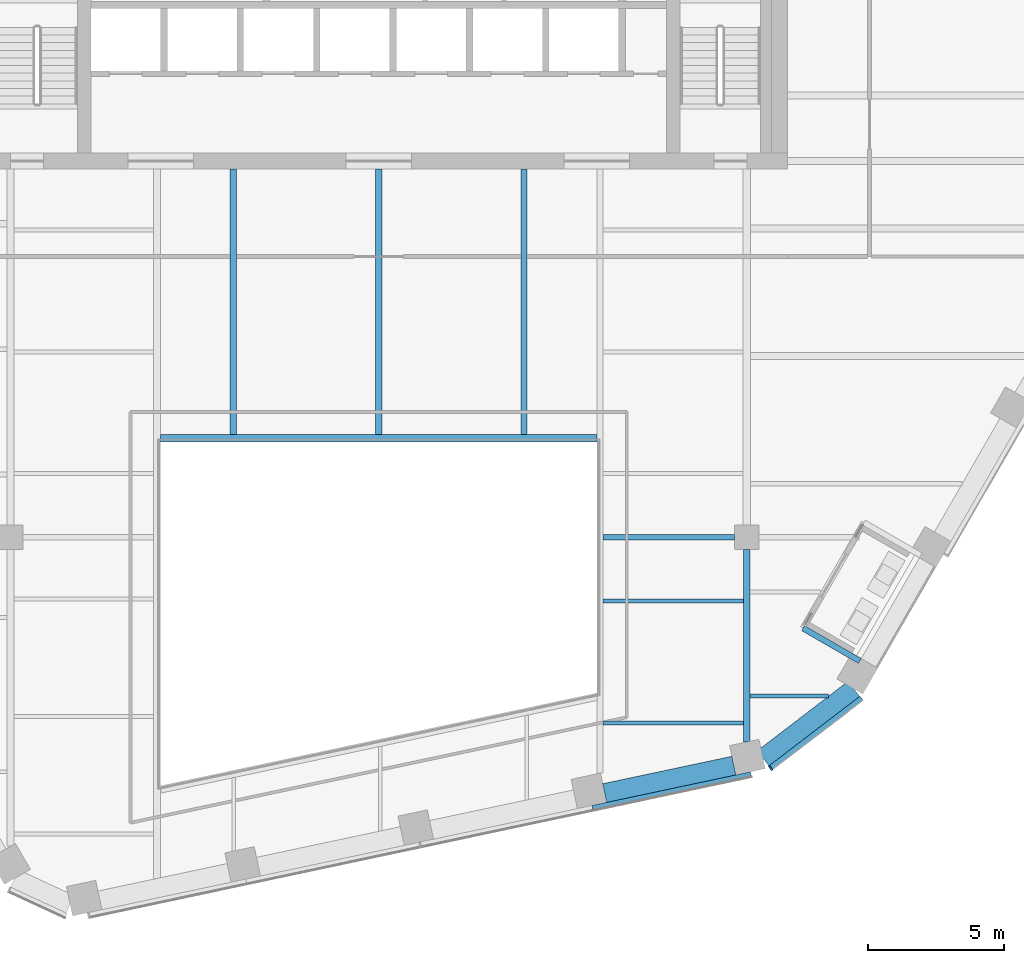
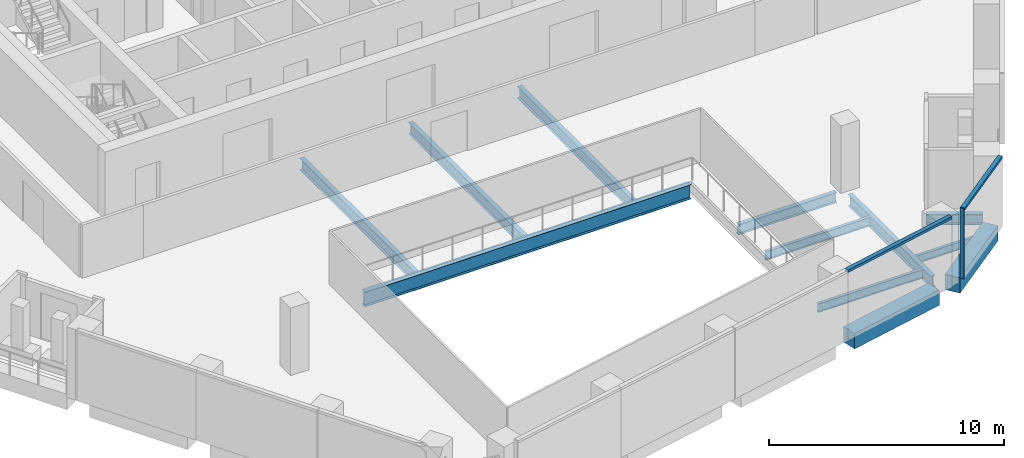
# One storey, part 4 of 24: 12 beams, 3 members, 2 elements without a shape of their own.
"""IFC4 building model written with IfcOpenShell, lengths in metres."""

from ifc_helpers import new_model, si_unit, direction, frame, origin, origin_2d, place, context, subcontext, project, spatial, rectangle, i_section, extrude, material, layer, layer_set, material_profile, profile_set, type_object, element, aggregate, save


model = new_model("IFC4")

# Units and contexts
model_context = context("Model", 3, precision=1e-05, world=origin(), true_north=direction((0.0, 1.0)))
body_context = subcontext(model_context, "Body", "Model", "MODEL_VIEW")
ifc_project = project(units=[si_unit("LENGTHUNIT", "METRE"), si_unit("AREAUNIT", "SQUARE_METRE"), si_unit("VOLUMEUNIT", "CUBIC_METRE"), si_unit("PLANEANGLEUNIT", "RADIAN"), si_unit("MASSUNIT", "GRAM", prefix="KILO")], contexts=[model_context])

# Site, building, storey
site_placement = place(None, origin())
site = spatial("IfcSite", under=ifc_project, at=site_placement, CompositionType="ELEMENT")
building_placement = place(site_placement, origin())
building = spatial("IfcBuilding", under=site, at=building_placement, Name="Isthmus Gate Tower", CompositionType="ELEMENT")
storey_placement = place(building_placement, frame((0.0, 0.0, 219.949951171875)))
storey = spatial("IfcBuildingStorey", under=building, at=storey_placement, Name="L55", CompositionType="ELEMENT", Elevation=219.949951171875)

# Curtain wall, member
ifc_material_1 = material(Name="Aluminium, pale champagne anodised", Category="aluminium")
ifc_layer = layer(ifc_material_1, 0.199951171875)
ifc_layer_set = layer_set([ifc_layer], Name="CW-1 UNITISED CURTAIN WALL 200 DEEP")
curtain_wall_type = type_object("IfcCurtainWallType", Name="CW-1 UNITISED CURTAIN WALL 200 DEEP", PredefinedType="NOTDEFINED", material=ifc_layer_set)
curtain_wall_1_placement = place(storey_placement, origin())
curtain_wall_1 = element("IfcCurtainWall", 1, at=curtain_wall_1_placement, inside=storey, type_object=curtain_wall_type, Name="CW-1 S-SE L55", PredefinedType="NOTDEFINED")
ifc_material_2 = material(Name="Aluminium, pale champagne anodised", Category="aluminium")
ifc_material_profile_1 = material_profile(ifc_material_2, rectangle(XDim=0.06005859375, YDim=0.199951171875, at=origin_2d()), Name="60x200")
ifc_profile_set_1 = profile_set([ifc_material_profile_1], Name="Aluminium, pale champagne anodised")
member_type_1 = type_object("IfcMemberType", Name="CW-1 MULLION 60 X 200", PredefinedType="MULLION", material=ifc_profile_set_1)
member_1_placement = place(storey_placement, frame((14.3720703125, -21.961669921875, 0.0), z_axis=(0.0, 0.0, 1.0), x_axis=(0.794188594387, 0.607671355706, 0.0)))
member_1 = element("IfcMember", 2, at=member_1_placement, type_object=member_type_1, Name="CW-1 mullion", PredefinedType="MULLION", context=body_context, shape_type="SweptSolid", body=[
    extrude(rectangle(XDim=0.06005859375, YDim=0.199951171875, at=origin_2d()), origin(), (0.0, 0.0, 1.0), 3.650146484375),
])

curtain_wall_2_placement = place(storey_placement, origin())
curtain_wall_2 = element("IfcCurtainWall", 3, at=curtain_wall_2_placement, inside=storey, type_object=curtain_wall_type, Name="CW-1 S L55", PredefinedType="NOTDEFINED")
ifc_material_3 = material(Name="Aluminium, pale champagne anodised", Category="aluminium")
ifc_material_profile_2 = material_profile(ifc_material_3, rectangle(XDim=0.199951171875, YDim=0.1298828125, at=origin_2d()), Name="200x130")
ifc_profile_set_2 = profile_set([ifc_material_profile_2], Name="Aluminium, pale champagne anodised")
member_type_2 = type_object("IfcMemberType", Name="CW-1 TRANSOM 200 X 130", PredefinedType="USERDEFINED", material=ifc_profile_set_2)
member_2_placement = place(storey_placement, frame((7.844970703125, -23.434814453125, 3.5849609375), z_axis=(0.978148616043, 0.207906914105, 0.0), x_axis=(-0.207906914105, 0.978148616043, 0.0)))
member_2 = element("IfcMember", 4, at=member_2_placement, type_object=member_type_2, Name="CW-1 transom", ObjectType="TRANSOM", PredefinedType="USERDEFINED", context=body_context, shape_type="SweptSolid", body=[
    extrude(rectangle(XDim=0.199951171875, YDim=0.1298828125, at=origin_2d()), origin(), (0.0, 0.0, 1.0), 5.94189453125),
])
aggregate(curtain_wall_2, [member_2])

# Member
member_3_placement = place(storey_placement, frame((14.39599609375, -21.943603515625, 3.5849609375), z_axis=(0.794175498212, 0.607688471209, 0.0), x_axis=(-0.607688471209, 0.794175498212, 0.0)))
member_3 = element("IfcMember", 5, at=member_3_placement, type_object=member_type_2, Name="CW-1 transom", ObjectType="TRANSOM", PredefinedType="USERDEFINED", context=body_context, shape_type="SweptSolid", body=[
    extrude(rectangle(XDim=0.199951171875, YDim=0.1298828125, at=origin_2d()), origin(), (0.0, 0.0, 1.0), 4.181396484375),
])

aggregate(curtain_wall_1, [member_1, member_3])

# Beams
ifc_material_4 = material(Name="Concrete f'c 50 MPa", Category="concrete")
ifc_material_profile_3 = material_profile(ifc_material_4, rectangle(XDim=0.699951171875, YDim=0.800048828125, at=origin_2d()), Name="RC 700X800")
ifc_profile_set_3 = profile_set([ifc_material_profile_3], Name="Concrete f'c 50 MPa")
beam_type_1 = type_object("IfcBeamType", Name="RC SPANDREL 700 X 800", PredefinedType="SPANDREL", material=ifc_profile_set_3)
beam_1_placement = place(storey_placement, frame((17.4267578125, -19.057861328125, -0.39990234375), z_axis=(-0.794182771845, -0.60767896533, 0.0), x_axis=(0.60767896533, -0.794182771845, 0.0)))
element("IfcBeam", 6, at=beam_1_placement, inside=storey, type_object=beam_type_1, Name="str-spandrel-L55-10", PredefinedType="SPANDREL", context=body_context, shape_type="SweptSolid", body=[
    extrude(rectangle(XDim=0.699951171875, YDim=0.800048828125, at=origin_2d()), origin(), (0.0, 0.0, 1.0), 4.19677734375),
])
beam_2_placement = place(storey_placement, frame((13.025390625, -21.87353515625, -0.39990234375), z_axis=(-0.978151545833, -0.207893129722, 0.0), x_axis=(0.207893129722, -0.978151545833, 0.0)))
element("IfcBeam", 7, at=beam_2_placement, inside=storey, type_object=beam_type_1, Name="str-spandrel-L55-11", PredefinedType="SPANDREL", context=body_context, shape_type="SweptSolid", body=[
    extrude(rectangle(XDim=0.699951171875, YDim=0.800048828125, at=origin_2d()), origin(), (0.0, 0.0, 1.0), 4.841796875),
])
ifc_material_5 = material(Name="Structural steel ASTM A992 Gr 50", Category="steel")
ifc_material_profile_4 = material_profile(ifc_material_5, i_section(OverallWidth=0.1396484375, OverallDepth=0.4033203125, WebThickness=0.00634765625, FlangeThickness=0.010986328125, at=origin_2d()), Name="W16X31")
ifc_profile_set_4 = profile_set([ifc_material_profile_4], Name="Structural steel ASTM A992 Gr 50")
beam_type_2 = type_object("IfcBeamType", Name="STEEL FLOOR BEAM W16X31", PredefinedType="JOIST", material=ifc_profile_set_4)
beam_3_placement = place(storey_placement, frame((13.6142578125, -19.322998046875, -0.3515625), z_axis=(1.0, 0.0, 0.0), x_axis=(0.0, 1.0, 0.0)))
element("IfcBeam", 8, at=beam_3_placement, inside=storey, type_object=beam_type_2, Name="str-beam-L55-15-00", PredefinedType="JOIST", context=body_context, shape_type="SweptSolid", body=[
    extrude(i_section(OverallWidth=0.1396484375, OverallDepth=0.4033203125, WebThickness=0.00634765625, FlangeThickness=0.010986328125, at=origin_2d()), origin(), (0.0, 0.0, 1.0), 2.889892578125),
])
ifc_material_6 = material(Name="Structural steel ASTM A992 Gr 50", Category="steel")
ifc_material_profile_5 = material_profile(ifc_material_6, i_section(OverallWidth=0.15234375, OverallDepth=0.45068359375, WebThickness=0.0078125, FlangeThickness=0.010986328125, at=origin_2d()), Name="W18X35")
ifc_profile_set_5 = profile_set([ifc_material_profile_5], Name="Structural steel ASTM A992 Gr 50")
beam_type_3 = type_object("IfcBeamType", Name="STEEL FLOOR BEAM W18X35", PredefinedType="JOIST", material=ifc_profile_set_5)
for number, where, z_axis, x_axis, name in (
    (9, (8.228515625, -20.3046875, -0.375244140625), (1.0, 0.0, 0.0), (0.0, 1.0, 0.0), "str-beam-L55-12-00"),
    (10, (8.228515625, -15.838134765625, -0.375244140625), (1.0, 0.0, 0.0), (0.0, 1.0, 0.0), "str-beam-L55-12-01"),
):
    element("IfcBeam", number, at=place(storey_placement, frame(where, z_axis=z_axis, x_axis=x_axis)), inside=storey, type_object=beam_type_3, Name=name, PredefinedType="JOIST", context=body_context, shape_type="SweptSolid", body=[
        extrude(i_section(OverallWidth=0.15234375, OverallDepth=0.45068359375, WebThickness=0.0078125, FlangeThickness=0.010986328125, at=origin_2d()), origin(), (0.0, 0.0, 1.0), 5.1572265625),
    ])
ifc_material_7 = material(Name="Structural steel ASTM A992 Gr 50", Category="steel")
ifc_material_profile_6 = material_profile(ifc_material_7, i_section(OverallWidth=0.228515625, OverallDepth=0.603271484375, WebThickness=0.010986328125, FlangeThickness=0.014404296875, at=origin_2d()), Name="W24X68")
ifc_profile_set_6 = profile_set([ifc_material_profile_6], Name="Structural steel ASTM A992 Gr 50")
beam_type_4 = type_object("IfcBeamType", Name="STEEL FLOOR BEAM W24X68", PredefinedType="JOIST", material=ifc_profile_set_6)
for number, where, z_axis, x_axis, name in (
    (11, (-5.333251953125, -9.7333984375, -0.45166015625), (0.0, 1.0, 0.0), (-1.0, 0.0, 0.0), "str-beam-L55-09-00"),
    (12, (0.0, -9.7333984375, -0.45166015625), (0.0, 1.0, 0.0), (-1.0, 0.0, 0.0), "str-beam-L55-09-01"),
    (13, (5.333251953125, -9.7333984375, -0.45166015625), (0.0, 1.0, 0.0), (-1.0, 0.0, 0.0), "str-beam-L55-09-02"),
):
    element("IfcBeam", number, at=place(storey_placement, frame(where, z_axis=z_axis, x_axis=x_axis)), inside=storey, type_object=beam_type_4, Name=name, PredefinedType="JOIST", context=body_context, shape_type="SweptSolid", body=[
        extrude(i_section(OverallWidth=0.228515625, OverallDepth=0.603271484375, WebThickness=0.010986328125, FlangeThickness=0.014404296875, at=origin_2d()), origin(), (0.0, 0.0, 1.0), 9.7333984375),
    ])
ifc_material_8 = material(Name="Structural steel ASTM A992 Gr 50", Category="steel")
ifc_material_profile_7 = material_profile(ifc_material_8, i_section(OverallWidth=0.20947265625, OverallDepth=0.533447265625, WebThickness=0.009521484375, FlangeThickness=0.015869140625, at=origin_2d()), Name="W21X62")
ifc_profile_set_7 = profile_set([ifc_material_profile_7], Name="Structural steel ASTM A992 Gr 50")
beam_type_5 = type_object("IfcBeamType", Name="STEEL GIRDER W21X62", PredefinedType="BEAM", material=ifc_profile_set_7)
beam_4_placement = place(storey_placement, frame((8.228515625, -13.5, -0.416748046875), z_axis=(1.0, 0.0, 0.0), x_axis=(0.0, 1.0, 0.0)))
element("IfcBeam", 14, at=beam_4_placement, inside=storey, type_object=beam_type_5, Name="str-girder-L55-03", PredefinedType="BEAM", context=body_context, shape_type="SweptSolid", body=[
    extrude(i_section(OverallWidth=0.20947265625, OverallDepth=0.533447265625, WebThickness=0.009521484375, FlangeThickness=0.015869140625, at=origin_2d()), origin(), (0.0, 0.0, 1.0), 4.821533203125),
])
ifc_material_9 = material(Name="Structural steel ASTM A992 Gr 50", Category="steel")
ifc_material_profile_8 = material_profile(ifc_material_9, i_section(OverallWidth=0.228515625, OverallDepth=0.603271484375, WebThickness=0.010986328125, FlangeThickness=0.014404296875, at=origin_2d()), Name="W24X68")
ifc_profile_set_8 = profile_set([ifc_material_profile_8], Name="Structural steel ASTM A992 Gr 50")
beam_type_6 = type_object("IfcBeamType", Name="STEEL GIRDER W24X68", PredefinedType="BEAM", material=ifc_profile_set_8)
beam_5_placement = place(storey_placement, frame((13.5, -21.005859375, -0.45166015625), z_axis=(0.0, 1.0, 0.0), x_axis=(-1.0, 0.0, 0.0)))
element("IfcBeam", 15, at=beam_5_placement, inside=storey, type_object=beam_type_6, Name="str-girder-L55-07", PredefinedType="BEAM", context=body_context, shape_type="SweptSolid", body=[
    extrude(i_section(OverallWidth=0.228515625, OverallDepth=0.603271484375, WebThickness=0.010986328125, FlangeThickness=0.014404296875, at=origin_2d()), origin(), (0.0, 0.0, 1.0), 7.055908203125),
])
ifc_material_10 = material(Name="Structural steel ASTM A992 Gr 50", Category="steel")
ifc_material_profile_9 = material_profile(ifc_material_10, i_section(OverallWidth=0.20947265625, OverallDepth=0.533447265625, WebThickness=0.009521484375, FlangeThickness=0.015869140625, at=origin_2d()), Name="W21X62")
ifc_profile_set_9 = profile_set([ifc_material_profile_9], Name="Structural steel ASTM A992 Gr 50")
beam_type_7 = type_object("IfcBeamType", Name="STEEL TRIMMER W21X62", PredefinedType="BEAM", material=ifc_profile_set_9)
beam_6_placement = place(storey_placement, frame((17.646484375, -18.035400390625, -0.416748046875), z_axis=(-0.866016514357, 0.500015396624, 0.0), x_axis=(-0.500015396624, -0.866016514357, 0.0)))
element("IfcBeam", 16, at=beam_6_placement, inside=storey, type_object=beam_type_7, Name="str-loggiatrim-L55-04-A", PredefinedType="BEAM", context=body_context, shape_type="SweptSolid", body=[
    extrude(i_section(OverallWidth=0.20947265625, OverallDepth=0.533447265625, WebThickness=0.009521484375, FlangeThickness=0.015869140625, at=origin_2d()), origin(), (0.0, 0.0, 1.0), 2.40478515625),
])
ifc_material_11 = material(Name="Structural steel ASTM A992 Gr 50", Category="steel")
ifc_material_profile_10 = material_profile(ifc_material_11, i_section(OverallWidth=0.2666015625, OverallDepth=0.7587890625, WebThickness=0.014404296875, FlangeThickness=0.01904296875, at=origin_2d()), Name="W30X108")
ifc_profile_set_10 = profile_set([ifc_material_profile_10], Name="Structural steel ASTM A992 Gr 50")
beam_type_8 = type_object("IfcBeamType", Name="STEEL TRIMMER W30X108", PredefinedType="BEAM", material=ifc_profile_set_10)
beam_7_placement = place(storey_placement, frame((8.0, -9.86669921875, -0.529296875), z_axis=(-1.0, 0.0, 0.0), x_axis=(0.0, -1.0, 0.0)))
element("IfcBeam", 17, at=beam_7_placement, inside=storey, type_object=beam_type_8, Name="str-trimmer-L55-04", PredefinedType="BEAM", context=body_context, shape_type="SweptSolid", body=[
    extrude(i_section(OverallWidth=0.2666015625, OverallDepth=0.7587890625, WebThickness=0.014404296875, FlangeThickness=0.01904296875, at=origin_2d()), origin(), (0.0, 0.0, 1.0), 16.0),
])

save(model, "model.ifc")
